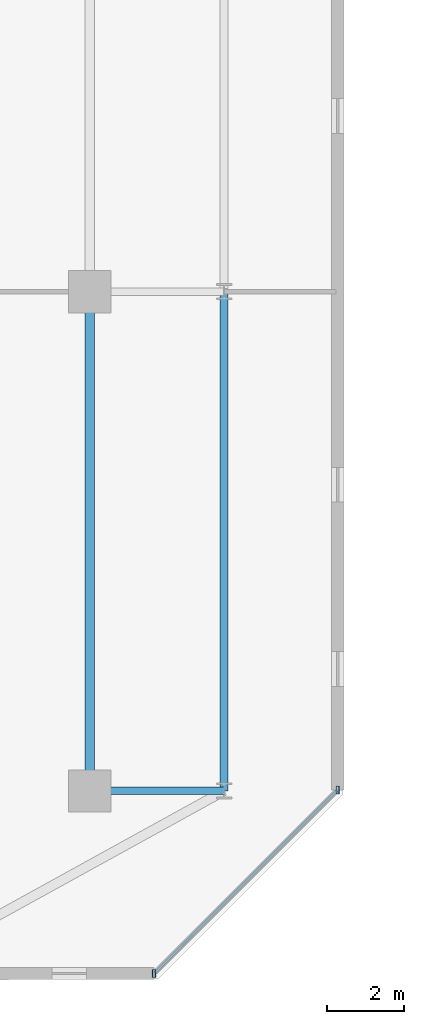
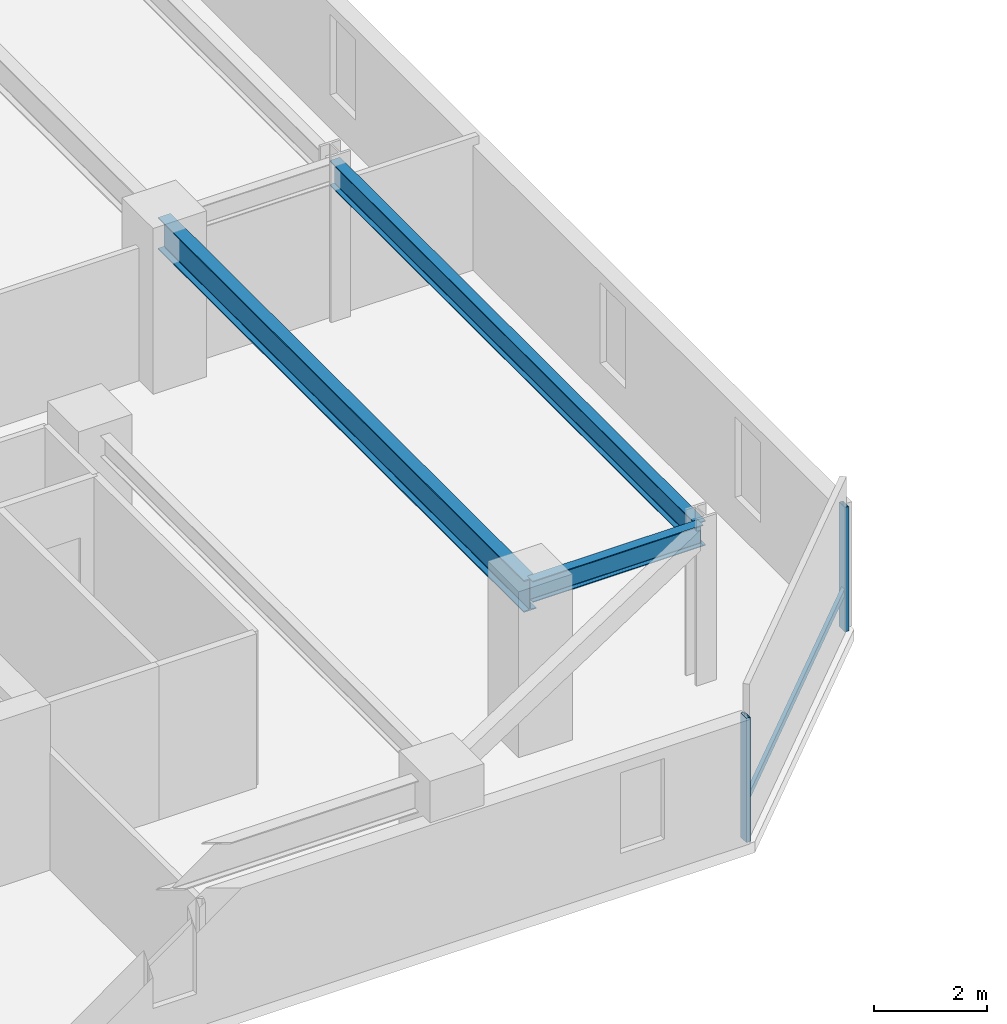
# One storey, part 5 of 33: 3 beams, 3 members, 1 element without a shape of its own.
"""IFC4 building model written with IfcOpenShell, lengths in metres."""

from ifc_helpers import new_model, si_unit, direction, frame, origin, origin_2d, place, context, subcontext, project, spatial, hollow_rectangle, i_section, extrude, material, material_profile, profile_set, type_object, element, aggregate, save


model = new_model("IFC4")

# Units and contexts
model_context = context("Model", 3, precision=1e-05, world=origin(), true_north=direction((0.0, 1.0)))
body_context = subcontext(model_context, "Body", "Model", "MODEL_VIEW")
ifc_project = project(units=[si_unit("LENGTHUNIT", "METRE"), si_unit("AREAUNIT", "SQUARE_METRE"), si_unit("VOLUMEUNIT", "CUBIC_METRE"), si_unit("PLANEANGLEUNIT", "RADIAN"), si_unit("MASSUNIT", "GRAM", prefix="KILO")], contexts=[model_context])

# Site, building, storey
site_placement = place(None, origin())
site = spatial("IfcSite", under=ifc_project, at=site_placement, CompositionType="ELEMENT")
building_placement = place(site_placement, origin())
building = spatial("IfcBuilding", under=site, at=building_placement, Name="Thornwick Lancets Civic Towers", CompositionType="ELEMENT")
storey_placement = place(building_placement, frame((0.0, 0.0, 192.89990234375)))
storey = spatial("IfcBuildingStorey", under=building, at=storey_placement, Name="L51", CompositionType="ELEMENT", Elevation=192.89990234375)

# Beams
ifc_material_1 = material(Name="Steel S355JR", Category="steel")
ifc_material_profile_1 = material_profile(ifc_material_1, i_section(OverallWidth=0.210693359375, OverallDepth=0.53955078125, WebThickness=0.01171875, FlangeThickness=0.018798828125, FilletRadius=0.0126953125, at=origin_2d()), Name="UKB 533x210x109")
ifc_profile_set_1 = profile_set([ifc_material_profile_1], Name="Steel S355JR")
beam_type_1 = type_object("IfcBeamType", Name="BM_EDGE_533_109", PredefinedType="SPANDREL", material=ifc_profile_set_1)
beam_1_placement = place(storey_placement, frame((46.300048828125, 14.0, 3.09033203125), z_axis=(0.0, 1.0, 0.0), x_axis=(-1.0, 0.0, 0.0)))
element("IfcBeam", 1, at=beam_1_placement, inside=storey, type_object=beam_type_1, Name="BM-EDGE-L51-A-S1-1", PredefinedType="SPANDREL", context=body_context, shape_type="SweptSolid", body=[
    extrude(i_section(OverallWidth=0.210693359375, OverallDepth=0.53955078125, WebThickness=0.01171875, FlangeThickness=0.018798828125, FilletRadius=0.0126953125, at=origin_2d()), origin(), (0.0, 0.0, 1.0), 13.0),
])
ifc_material_profile_2 = material_profile(ifc_material_1, i_section(OverallWidth=0.255859375, OverallDepth=0.69287109375, WebThickness=0.014404296875, FlangeThickness=0.023681640625, FilletRadius=0.01513671875, at=origin_2d()), Name="UKB 686x254x170")
ifc_profile_set_2 = profile_set([ifc_material_profile_2], Name="Steel S355JR")
beam_type_2 = type_object("IfcBeamType", Name="BM_GIRD_686_170", PredefinedType="BEAM", material=ifc_profile_set_2)
beam_2_placement = place(storey_placement, frame((42.800048828125, 14.0, 3.013671875), z_axis=(0.0, 1.0, 0.0), x_axis=(-1.0, 0.0, 0.0)))
element("IfcBeam", 2, at=beam_2_placement, inside=storey, type_object=beam_type_2, Name="BM-SPINE-L51-A-3-4", PredefinedType="BEAM", context=body_context, shape_type="SweptSolid", body=[
    extrude(i_section(OverallWidth=0.255859375, OverallDepth=0.69287109375, WebThickness=0.014404296875, FlangeThickness=0.023681640625, FilletRadius=0.01513671875, at=origin_2d()), origin(), (0.0, 0.0, 1.0), 13.0),
])
ifc_material_profile_3 = material_profile(ifc_material_1, i_section(OverallWidth=0.19189453125, OverallDepth=0.46337890625, WebThickness=0.010498046875, FlangeThickness=0.017578125, FilletRadius=0.01025390625, at=origin_2d()), Name="UKB 457x191x89")
ifc_profile_set_3 = profile_set([ifc_material_profile_3], Name="Steel S355JR")
beam_type_3 = type_object("IfcBeamType", Name="BM_JOIST_457_89", PredefinedType="JOIST", material=ifc_profile_set_3)
beam_3_placement = place(storey_placement, frame((42.800048828125, 14.0, 3.12841796875), z_axis=(1.0, 0.0, 0.0), x_axis=(0.0, 1.0, 0.0)))
element("IfcBeam", 3, at=beam_3_placement, inside=storey, type_object=beam_type_3, Name="BM-RAD-L51-A04", PredefinedType="JOIST", context=body_context, shape_type="SweptSolid", body=[
    extrude(i_section(OverallWidth=0.19189453125, OverallDepth=0.46337890625, WebThickness=0.010498046875, FlangeThickness=0.017578125, FilletRadius=0.01025390625, at=origin_2d()), origin(), (0.0, 0.0, 1.0), 3.5),
])

# Curtain wall, members
ifc_material_2 = material(Name="Mid-zone chamfered-corner unitised glass curtain wall", Category="glass")
curtain_wall_type = type_object("IfcCurtainWallType", Name="CW_SYS_04", PredefinedType="NOTDEFINED", material=ifc_material_2)
curtain_wall_placement = place(storey_placement, origin())
curtain_wall = element("IfcCurtainWall", 4, at=curtain_wall_placement, inside=storey, type_object=curtain_wall_type, Name="L51 Curtain Wall CW-L51-A-E1", PredefinedType="NOTDEFINED")
ifc_material_3 = material(Name="Thermally broken bronze aluminium S355", Category="steel")
ifc_material_profile_4 = material_profile(ifc_material_3, hollow_rectangle(XDim=0.080078125, YDim=0.199951171875, WallThickness=0.006103515625, at=origin_2d()), Name="RHS 200x80x6")
ifc_profile_set_4 = profile_set([ifc_material_profile_4], Name="Thermally broken bronze aluminium S355")
member_type_1 = type_object("IfcMemberType", Name="CW_MUL_200", PredefinedType="MULLION", material=ifc_profile_set_4)
member_1_placement = place(storey_placement, frame((44.47509765625, 9.24267578125, 0.0), z_axis=(0.0, 0.0, 1.0), x_axis=(1.0, 0.0, 0.0)))
member_1 = element("IfcMember", 5, at=member_1_placement, type_object=member_type_1, Name="CW-L51-A-E1 Mullion 0", PredefinedType="MULLION", context=body_context, shape_type="SweptSolid", body=[
    extrude(hollow_rectangle(XDim=0.080078125, YDim=0.199951171875, WallThickness=0.006103515625, at=origin_2d()), origin(), (0.0, 0.0, 1.0), 2.7001953125),
])
member_2_placement = place(storey_placement, frame((49.25732421875, 14.02490234375, 0.0), z_axis=(0.0, 0.0, 1.0), x_axis=(1.0, 0.0, 0.0)))
member_2 = element("IfcMember", 6, at=member_2_placement, type_object=member_type_1, Name="CW-L51-A-E1 Mullion 1", PredefinedType="MULLION", context=body_context, shape_type="SweptSolid", body=[
    extrude(hollow_rectangle(XDim=0.080078125, YDim=0.199951171875, WallThickness=0.006103515625, at=origin_2d()), origin(), (0.0, 0.0, 1.0), 2.7001953125),
])
ifc_material_profile_5 = material_profile(ifc_material_3, hollow_rectangle(XDim=0.074951171875, YDim=0.14990234375, WallThickness=0.0048828125, at=origin_2d()), Name="RHS 150x75x5")
ifc_profile_set_5 = profile_set([ifc_material_profile_5], Name="Thermally broken bronze aluminium S355")
member_type_2 = type_object("IfcMemberType", Name="CW_TRN_150", PredefinedType="USERDEFINED", material=ifc_profile_set_5)
member_3_placement = place(storey_placement, frame((44.4892578125, 9.256591796875, 0.85009765625), z_axis=(0.707106781187, 0.707106781187, 0.0), x_axis=(-0.707106781187, 0.707106781187, 0.0)))
member_3 = element("IfcMember", 7, at=member_3_placement, type_object=member_type_2, Name="CW-L51-A-E1 Transom 0", ObjectType="TRANSOM", PredefinedType="USERDEFINED", context=body_context, shape_type="SweptSolid", body=[
    extrude(hollow_rectangle(XDim=0.074951171875, YDim=0.14990234375, WallThickness=0.0048828125, at=origin_2d()), origin(), (0.0, 0.0, 1.0), 6.723388671875),
])
aggregate(curtain_wall, [member_1, member_2, member_3])

save(model, "model.ifc")
